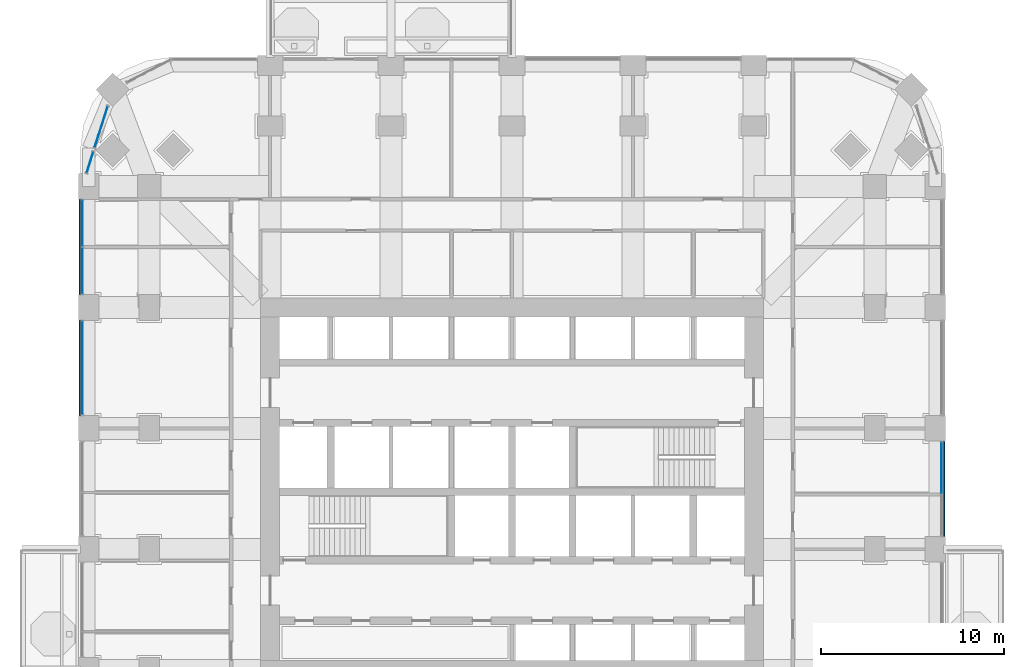
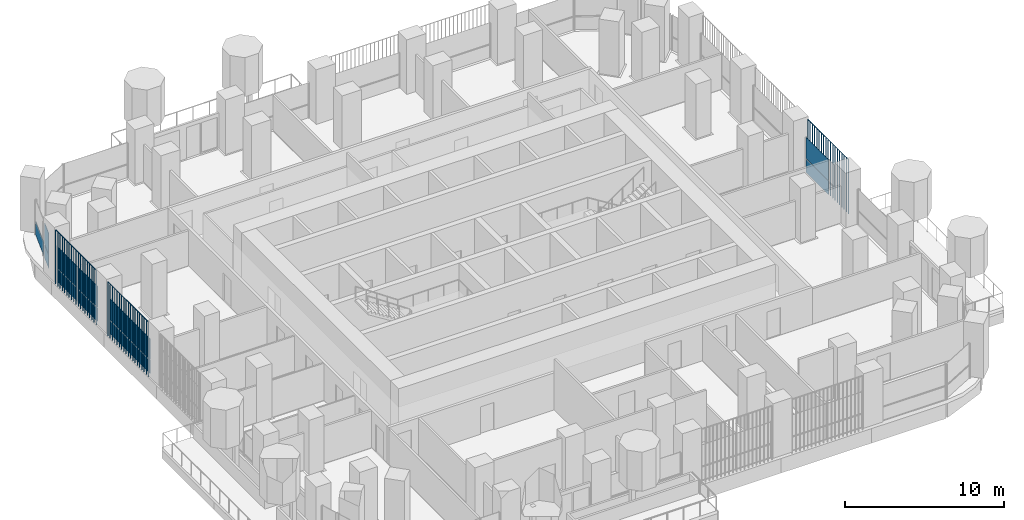
# One storey, part 10 of 21: 14 plates, 5 elements without a shape of their own.
"""IFC4 building model written with IfcOpenShell, lengths in metres."""

from ifc_helpers import new_model, si_unit, direction, frame, origin, origin_2d, place, context, subcontext, project, spatial, polyline, rectangle, outline, extrude, material, layer, layer_set, type_object, element, aggregate, save


model = new_model("IFC4")

# Units and contexts
model_context = context("Model", 3, precision=1e-05, world=origin(), true_north=direction((0.0, 1.0)))
body_context = subcontext(model_context, "Body", "Model", "MODEL_VIEW")
ifc_project = project(units=[si_unit("LENGTHUNIT", "METRE"), si_unit("AREAUNIT", "SQUARE_METRE"), si_unit("VOLUMEUNIT", "CUBIC_METRE"), si_unit("PLANEANGLEUNIT", "RADIAN"), si_unit("MASSUNIT", "GRAM", prefix="KILO")], contexts=[model_context])

# Site, building, storey
site_placement = place(None, origin())
site = spatial("IfcSite", under=ifc_project, at=site_placement, CompositionType="ELEMENT")
building_placement = place(site_placement, origin())
building = spatial("IfcBuilding", under=site, at=building_placement, Name="Cobogo Forest Laboratory Tower", CompositionType="ELEMENT")
storey_placement = place(building_placement, frame((0.0, 0.0, 115.800048828125)))
storey = spatial("IfcBuildingStorey", under=building, at=storey_placement, Name="L26", CompositionType="ELEMENT", Elevation=115.800048828125)

# Curtain wall, plates
ifc_material_1 = material(Name="Aluminium curtain wall", Category="aluminium")
curtain_wall_type = type_object("IfcCurtainWallType", Name="CW-1 unitised curtain wall, clear glazing, laboratory floors zones A and B", PredefinedType="USERDEFINED", material=ifc_material_1)
curtain_wall_1_placement = place(storey_placement, origin())
curtain_wall_1 = element("IfcCurtainWall", 1, at=curtain_wall_1_placement, inside=storey, type_object=curtain_wall_type, Name="Curtain wall 12 L26", ObjectType="UNITISED CURTAIN WALL", PredefinedType="USERDEFINED")
ifc_material_2 = material(Name="Clear insulated glass", Category="glass")
ifc_layer = layer(ifc_material_2, 0.028076171875)
ifc_layer_set = layer_set([ifc_layer], Name="GP-1 clear insulated glass unit 28")
plate_type_1 = type_object("IfcPlateType", Name="GP-1 clear insulated glass unit 28", PredefinedType="CURTAIN_PANEL", material=ifc_layer_set)
plate_1_placement = place(storey_placement, frame((49.85009765625, 24.235107421875, 0.0), z_axis=(0.0, 0.0, 1.0), x_axis=(0.0, 1.0, 0.0)))
plate_1 = element("IfcPlate", 2, at=plate_1_placement, type_object=plate_type_1, Name="CW-1 panel 2.1", PredefinedType="CURTAIN_PANEL", context=body_context, shape_type="SweptSolid", body=[
    extrude(rectangle(XDim=2.81005859375, YDim=0.028076171875, at=origin_2d()), origin(), (0.0, 0.0, 1.0), 1.02001953125),
])
plate_2_placement = place(storey_placement, frame((49.85009765625, 24.235107421875, 1.079833984375), z_axis=(0.0, 0.0, 1.0), x_axis=(0.0, 1.0, 0.0)))
plate_2 = element("IfcPlate", 3, at=plate_2_placement, type_object=plate_type_1, Name="CW-1 panel 2.2", PredefinedType="CURTAIN_PANEL", context=body_context, shape_type="SweptSolid", body=[
    extrude(rectangle(XDim=2.81005859375, YDim=0.028076171875, at=origin_2d()), origin(), (0.0, 0.0, 1.0), 1.6201171875),
])
aggregate(curtain_wall_1, [plate_1, plate_2])

# Curtain wall, plate
curtain_wall_2_placement = place(storey_placement, origin())
curtain_wall_2 = element("IfcCurtainWall", 4, at=curtain_wall_2_placement, inside=storey, type_object=curtain_wall_type, Name="Curtain wall 25 L26", ObjectType="UNITISED CURTAIN WALL", PredefinedType="USERDEFINED")
plate_3_placement = place(storey_placement, frame((3.978759765625, 42.857421875, 0.0), z_axis=(0.0, 0.0, 1.0), x_axis=(-0.301135291996, -0.953581425949, 0.0)))
plate_3 = element("IfcPlate", 5, at=plate_3_placement, type_object=plate_type_1, Name="CW-1 panel 1.1", PredefinedType="CURTAIN_PANEL", context=body_context, shape_type="SweptSolid", body=[
    extrude(rectangle(XDim=2.3681640625, YDim=0.028076171875, at=origin_2d()), origin(), (0.0, 0.0, 1.0), 1.02001953125),
])
aggregate(curtain_wall_2, [plate_3])

# Curtain wall, plates
curtain_wall_3_placement = place(storey_placement, origin())
curtain_wall_3 = element("IfcCurtainWall", 6, at=curtain_wall_3_placement, inside=storey, type_object=curtain_wall_type, Name="Curtain wall 26 L26", ObjectType="UNITISED CURTAIN WALL", PredefinedType="USERDEFINED")
plate_4_placement = place(storey_placement, frame((3.3662109375, 40.917724609375, 0.0), z_axis=(0.0, 0.0, 1.0), x_axis=(-0.301135356805, -0.953581405483, 0.0)))
plate_4 = element("IfcPlate", 7, at=plate_4_placement, type_object=plate_type_1, Name="CW-1 panel 1.1", PredefinedType="CURTAIN_PANEL", context=body_context, shape_type="SweptSolid", body=[
    extrude(rectangle(XDim=1.17578125, YDim=0.028076171875, at=origin_2d()), origin(), (0.0, 0.0, 1.0), 1.02001953125),
])
plate_5_placement = place(storey_placement, frame((3.3662109375, 40.917724609375, 1.079833984375), z_axis=(0.0, 0.0, 1.0), x_axis=(-0.301135356805, -0.953581405483, 0.0)))
plate_5 = element("IfcPlate", 8, at=plate_5_placement, type_object=plate_type_1, Name="CW-1 panel 1.2", PredefinedType="CURTAIN_PANEL", context=body_context, shape_type="SweptSolid", body=[
    extrude(rectangle(XDim=1.17578125, YDim=0.028076171875, at=origin_2d()), origin(), (0.0, 0.0, 1.0), 1.6201171875),
])
aggregate(curtain_wall_3, [plate_4, plate_5])

curtain_wall_4_placement = place(storey_placement, origin())
curtain_wall_4 = element("IfcCurtainWall", 9, at=curtain_wall_4_placement, inside=storey, type_object=curtain_wall_type, Name="Curtain wall 27 L26", ObjectType="UNITISED CURTAIN WALL", PredefinedType="USERDEFINED")
plate_6_placement = place(storey_placement, frame((2.949951171875, 37.5849609375, 0.0), z_axis=(0.0, 0.0, 1.0), x_axis=(0.0, -1.0, 0.0)))
plate_6 = element("IfcPlate", 10, at=plate_6_placement, type_object=plate_type_1, Name="CW-1 panel 1.1", PredefinedType="CURTAIN_PANEL", context=body_context, shape_type="SweptSolid", body=[
    extrude(rectangle(XDim=2.510009765625, YDim=0.028076171875, at=origin_2d()), origin(), (0.0, 0.0, 1.0), 1.02001953125),
])
plate_7_placement = place(storey_placement, frame((2.949951171875, 37.5849609375, 1.079833984375), z_axis=(0.0, 0.0, 1.0), x_axis=(0.0, -1.0, 0.0)))
plate_7 = element("IfcPlate", 11, at=plate_7_placement, type_object=plate_type_1, Name="CW-1 panel 1.2", PredefinedType="CURTAIN_PANEL", context=body_context, shape_type="SweptSolid", body=[
    extrude(rectangle(XDim=2.510009765625, YDim=0.028076171875, at=origin_2d()), origin(), (0.0, 0.0, 1.0), 1.6201171875),
])
plate_8_placement = place(storey_placement, frame((2.949951171875, 35.014892578125, 0.0), z_axis=(0.0, 0.0, 1.0), x_axis=(0.0, -1.0, 0.0)))
plate_8 = element("IfcPlate", 12, at=plate_8_placement, type_object=plate_type_1, Name="CW-1 panel 2.1", PredefinedType="CURTAIN_PANEL", context=body_context, shape_type="SweptSolid", body=[
    extrude(rectangle(XDim=2.510009765625, YDim=0.028076171875, at=origin_2d()), origin(), (0.0, 0.0, 1.0), 1.02001953125),
])
plate_9_placement = place(storey_placement, frame((2.949951171875, 35.014892578125, 1.079833984375), z_axis=(0.0, 0.0, 1.0), x_axis=(0.0, -1.0, 0.0)))
plate_9 = element("IfcPlate", 13, at=plate_9_placement, type_object=plate_type_1, Name="CW-1 panel 2.2", PredefinedType="CURTAIN_PANEL", context=body_context, shape_type="SweptSolid", body=[
    extrude(rectangle(XDim=2.510009765625, YDim=0.028076171875, at=origin_2d()), origin(), (0.0, 0.0, 1.0), 1.6201171875),
])
aggregate(curtain_wall_4, [plate_6, plate_7, plate_8, plate_9])

curtain_wall_5_placement = place(storey_placement, origin())
curtain_wall_5 = element("IfcCurtainWall", 14, at=curtain_wall_5_placement, inside=storey, type_object=curtain_wall_type, Name="Curtain wall 28 L26", ObjectType="UNITISED CURTAIN WALL", PredefinedType="USERDEFINED")
plate_10_placement = place(storey_placement, frame((2.949951171875, 29.699951171875, 0.0), z_axis=(0.0, 0.0, 1.0), x_axis=(0.0, -1.0, 0.0)))
plate_10 = element("IfcPlate", 15, at=plate_10_placement, type_object=plate_type_1, Name="CW-1 panel 1.1", PredefinedType="CURTAIN_PANEL", context=body_context, shape_type="SweptSolid", body=[
    extrude(rectangle(XDim=5.080078125, YDim=0.028076171875, at=origin_2d()), origin(), (0.0, 0.0, 1.0), 1.02001953125),
])
plate_11_placement = place(storey_placement, frame((2.949951171875, 29.699951171875, 1.079833984375), z_axis=(0.0, 0.0, 1.0), x_axis=(0.0, -1.0, 0.0)))
plate_11 = element("IfcPlate", 16, at=plate_11_placement, type_object=plate_type_1, Name="CW-1 panel 1.2", PredefinedType="CURTAIN_PANEL", context=body_context, shape_type="SweptSolid", body=[
    extrude(rectangle(XDim=5.080078125, YDim=0.028076171875, at=origin_2d()), origin(), (0.0, 0.0, 1.0), 1.6201171875),
])
aggregate(curtain_wall_5, [plate_10, plate_11])

# Plates
ifc_material_3 = material(Name="Terracotta", Category="masonry")
plate_type_2 = type_object("IfcPlateType", Name="TB1 terracotta baguette screen", PredefinedType="USERDEFINED", material=ifc_material_3)
plate_12_placement = place(storey_placement, frame((49.977783203125, 20.53125, -0.150146484375)))
element("IfcPlate", 17, at=plate_12_placement, inside=storey, type_object=plate_type_2, Name="Baguette screen E3 L26", ObjectType="BAGUETTE SCREEN", PredefinedType="USERDEFINED", context=body_context, shape_type="SweptSolid", body=[
    extrude(outline(polyline([(0.02880859375, 0.011962890625), (0.011962890625, 0.02880859375), (-0.011962890625, 0.02880859375), (-0.02880859375, 0.011962890625), (-0.02880859375, -0.011962890625), (-0.011962890625, -0.02880859375), (0.011962890625, -0.02880859375), (0.02880859375, -0.011962890625), (0.02880859375, 0.011962890625)])), frame((0.0, 0.0, 4.168701171875), z_axis=(0.0, 1.0, 0.0), x_axis=(-1.0, 0.0, 0.0)), (0.0, 0.0, 1.0), 5.137451171875),
    extrude(outline(polyline([(0.02880859375, 0.011962890625), (0.011962890625, 0.02880859375), (-0.011962890625, 0.02880859375), (-0.02880859375, 0.011962890625), (-0.02880859375, -0.011962890625), (-0.011962890625, -0.02880859375), (0.011962890625, -0.02880859375), (0.02880859375, -0.011962890625), (0.02880859375, 0.011962890625)])), origin(), (0.0, 0.0, 1.0), 4.137451171875),
    extrude(outline(polyline([(0.02880859375, 0.011962890625), (0.011962890625, 0.02880859375), (-0.011962890625, 0.02880859375), (-0.02880859375, 0.011962890625), (-0.02880859375, -0.011962890625), (-0.011962890625, -0.02880859375), (0.011962890625, -0.02880859375), (0.02880859375, -0.011962890625), (0.02880859375, 0.011962890625)])), frame((0.0, 0.285400390625, 0.0)), (0.0, 0.0, 1.0), 4.137451171875),
    extrude(outline(polyline([(0.02880859375, 0.011962890625), (0.011962890625, 0.02880859375), (-0.011962890625, 0.02880859375), (-0.02880859375, 0.011962890625), (-0.02880859375, -0.011962890625), (-0.011962890625, -0.02880859375), (0.011962890625, -0.02880859375), (0.02880859375, -0.011962890625), (0.02880859375, 0.011962890625)])), frame((0.0, 0.57080078125, 0.0)), (0.0, 0.0, 1.0), 4.137451171875),
    extrude(outline(polyline([(0.02880859375, 0.011962890625), (0.011962890625, 0.02880859375), (-0.011962890625, 0.02880859375), (-0.02880859375, 0.011962890625), (-0.02880859375, -0.011962890625), (-0.011962890625, -0.02880859375), (0.011962890625, -0.02880859375), (0.02880859375, -0.011962890625), (0.02880859375, 0.011962890625)])), frame((0.0, 0.856201171875, 0.0)), (0.0, 0.0, 1.0), 4.137451171875),
    extrude(outline(polyline([(0.02880859375, 0.011962890625), (0.011962890625, 0.02880859375), (-0.011962890625, 0.02880859375), (-0.02880859375, 0.011962890625), (-0.02880859375, -0.011962890625), (-0.011962890625, -0.02880859375), (0.011962890625, -0.02880859375), (0.02880859375, -0.011962890625), (0.02880859375, 0.011962890625)])), frame((0.0, 1.1416015625, 0.0)), (0.0, 0.0, 1.0), 4.137451171875),
    extrude(outline(polyline([(0.02880859375, 0.011962890625), (0.011962890625, 0.02880859375), (-0.011962890625, 0.02880859375), (-0.02880859375, 0.011962890625), (-0.02880859375, -0.011962890625), (-0.011962890625, -0.02880859375), (0.011962890625, -0.02880859375), (0.02880859375, -0.011962890625), (0.02880859375, 0.011962890625)])), frame((0.0, 1.427001953125, 0.0)), (0.0, 0.0, 1.0), 4.137451171875),
    extrude(outline(polyline([(0.02880859375, 0.011962890625), (0.011962890625, 0.02880859375), (-0.011962890625, 0.02880859375), (-0.02880859375, 0.011962890625), (-0.02880859375, -0.011962890625), (-0.011962890625, -0.02880859375), (0.011962890625, -0.02880859375), (0.02880859375, -0.011962890625), (0.02880859375, 0.011962890625)])), frame((0.0, 1.71240234375, 0.0)), (0.0, 0.0, 1.0), 4.137451171875),
    extrude(outline(polyline([(0.02880859375, 0.011962890625), (0.011962890625, 0.02880859375), (-0.011962890625, 0.02880859375), (-0.02880859375, 0.011962890625), (-0.02880859375, -0.011962890625), (-0.011962890625, -0.02880859375), (0.011962890625, -0.02880859375), (0.02880859375, -0.011962890625), (0.02880859375, 0.011962890625)])), frame((0.0, 1.997802734375, 0.0)), (0.0, 0.0, 1.0), 4.137451171875),
    extrude(outline(polyline([(0.02880859375, 0.011962890625), (0.011962890625, 0.02880859375), (-0.011962890625, 0.02880859375), (-0.02880859375, 0.011962890625), (-0.02880859375, -0.011962890625), (-0.011962890625, -0.02880859375), (0.011962890625, -0.02880859375), (0.02880859375, -0.011962890625), (0.02880859375, 0.011962890625)])), frame((0.0, 2.283203125, 0.0)), (0.0, 0.0, 1.0), 4.137451171875),
    extrude(outline(polyline([(0.02880859375, 0.011962890625), (0.011962890625, 0.02880859375), (-0.011962890625, 0.02880859375), (-0.02880859375, 0.011962890625), (-0.02880859375, -0.011962890625), (-0.011962890625, -0.02880859375), (0.011962890625, -0.02880859375), (0.02880859375, -0.011962890625), (0.02880859375, 0.011962890625)])), frame((0.0, 2.56884765625, 0.0)), (0.0, 0.0, 1.0), 4.137451171875),
    extrude(outline(polyline([(0.02880859375, 0.011962890625), (0.011962890625, 0.02880859375), (-0.011962890625, 0.02880859375), (-0.02880859375, 0.011962890625), (-0.02880859375, -0.011962890625), (-0.011962890625, -0.02880859375), (0.011962890625, -0.02880859375), (0.02880859375, -0.011962890625), (0.02880859375, 0.011962890625)])), frame((0.0, 2.854248046875, 0.0)), (0.0, 0.0, 1.0), 4.137451171875),
    extrude(outline(polyline([(0.02880859375, 0.011962890625), (0.011962890625, 0.02880859375), (-0.011962890625, 0.02880859375), (-0.02880859375, 0.011962890625), (-0.02880859375, -0.011962890625), (-0.011962890625, -0.02880859375), (0.011962890625, -0.02880859375), (0.02880859375, -0.011962890625), (0.02880859375, 0.011962890625)])), frame((0.0, 3.1396484375, 0.0)), (0.0, 0.0, 1.0), 4.137451171875),
    extrude(outline(polyline([(0.02880859375, 0.011962890625), (0.011962890625, 0.02880859375), (-0.011962890625, 0.02880859375), (-0.02880859375, 0.011962890625), (-0.02880859375, -0.011962890625), (-0.011962890625, -0.02880859375), (0.011962890625, -0.02880859375), (0.02880859375, -0.011962890625), (0.02880859375, 0.011962890625)])), frame((0.0, 3.425048828125, 0.0)), (0.0, 0.0, 1.0), 4.137451171875),
    extrude(outline(polyline([(0.02880859375, 0.011962890625), (0.011962890625, 0.02880859375), (-0.011962890625, 0.02880859375), (-0.02880859375, 0.011962890625), (-0.02880859375, -0.011962890625), (-0.011962890625, -0.02880859375), (0.011962890625, -0.02880859375), (0.02880859375, -0.011962890625), (0.02880859375, 0.011962890625)])), frame((0.0, 3.71044921875, 0.0)), (0.0, 0.0, 1.0), 4.137451171875),
    extrude(outline(polyline([(0.02880859375, 0.011962890625), (0.011962890625, 0.02880859375), (-0.011962890625, 0.02880859375), (-0.02880859375, 0.011962890625), (-0.02880859375, -0.011962890625), (-0.011962890625, -0.02880859375), (0.011962890625, -0.02880859375), (0.02880859375, -0.011962890625), (0.02880859375, 0.011962890625)])), frame((0.0, 3.995849609375, 0.0)), (0.0, 0.0, 1.0), 4.137451171875),
    extrude(outline(polyline([(0.02880859375, 0.011962890625), (0.011962890625, 0.02880859375), (-0.011962890625, 0.02880859375), (-0.02880859375, 0.011962890625), (-0.02880859375, -0.011962890625), (-0.011962890625, -0.02880859375), (0.011962890625, -0.02880859375), (0.02880859375, -0.011962890625), (0.02880859375, 0.011962890625)])), frame((0.0, 4.28125, 0.0)), (0.0, 0.0, 1.0), 4.137451171875),
    extrude(outline(polyline([(0.02880859375, 0.011962890625), (0.011962890625, 0.02880859375), (-0.011962890625, 0.02880859375), (-0.02880859375, 0.011962890625), (-0.02880859375, -0.011962890625), (-0.011962890625, -0.02880859375), (0.011962890625, -0.02880859375), (0.02880859375, -0.011962890625), (0.02880859375, 0.011962890625)])), frame((0.0, 4.566650390625, 0.0)), (0.0, 0.0, 1.0), 4.137451171875),
    extrude(outline(polyline([(0.02880859375, 0.011962890625), (0.011962890625, 0.02880859375), (-0.011962890625, 0.02880859375), (-0.02880859375, 0.011962890625), (-0.02880859375, -0.011962890625), (-0.011962890625, -0.02880859375), (0.011962890625, -0.02880859375), (0.02880859375, -0.011962890625), (0.02880859375, 0.011962890625)])), frame((0.0, 4.85205078125, 0.0)), (0.0, 0.0, 1.0), 4.137451171875),
    extrude(outline(polyline([(0.02880859375, 0.011962890625), (0.011962890625, 0.02880859375), (-0.011962890625, 0.02880859375), (-0.02880859375, 0.011962890625), (-0.02880859375, -0.011962890625), (-0.011962890625, -0.02880859375), (0.011962890625, -0.02880859375), (0.02880859375, -0.011962890625), (0.02880859375, 0.011962890625)])), frame((0.0, 5.137451171875, 0.0)), (0.0, 0.0, 1.0), 4.137451171875),
])
plate_13_placement = place(storey_placement, frame((2.822021484375, 27.13134765625, -0.150146484375)))
element("IfcPlate", 18, at=plate_13_placement, inside=storey, type_object=plate_type_2, Name="Baguette screen W4 L26", ObjectType="BAGUETTE SCREEN", PredefinedType="USERDEFINED", context=body_context, shape_type="SweptSolid", body=[
    extrude(outline(polyline([(0.02880859375, 0.011962890625), (0.011962890625, 0.02880859375), (-0.011962890625, 0.02880859375), (-0.02880859375, 0.011962890625), (-0.02880859375, -0.011962890625), (-0.011962890625, -0.02880859375), (0.011962890625, -0.02880859375), (0.02880859375, -0.011962890625), (0.02880859375, 0.011962890625)])), frame((0.0, 0.0, 4.168701171875), z_axis=(0.0, 1.0, 0.0), x_axis=(-1.0, 0.0, 0.0)), (0.0, 0.0, 1.0), 5.137451171875),
    extrude(outline(polyline([(0.02880859375, 0.011962890625), (0.011962890625, 0.02880859375), (-0.011962890625, 0.02880859375), (-0.02880859375, 0.011962890625), (-0.02880859375, -0.011962890625), (-0.011962890625, -0.02880859375), (0.011962890625, -0.02880859375), (0.02880859375, -0.011962890625), (0.02880859375, 0.011962890625)])), origin(), (0.0, 0.0, 1.0), 4.137451171875),
    extrude(outline(polyline([(0.02880859375, 0.011962890625), (0.011962890625, 0.02880859375), (-0.011962890625, 0.02880859375), (-0.02880859375, 0.011962890625), (-0.02880859375, -0.011962890625), (-0.011962890625, -0.02880859375), (0.011962890625, -0.02880859375), (0.02880859375, -0.011962890625), (0.02880859375, 0.011962890625)])), frame((0.0, 0.285400390625, 0.0)), (0.0, 0.0, 1.0), 4.137451171875),
    extrude(outline(polyline([(0.02880859375, 0.011962890625), (0.011962890625, 0.02880859375), (-0.011962890625, 0.02880859375), (-0.02880859375, 0.011962890625), (-0.02880859375, -0.011962890625), (-0.011962890625, -0.02880859375), (0.011962890625, -0.02880859375), (0.02880859375, -0.011962890625), (0.02880859375, 0.011962890625)])), frame((0.0, 0.57080078125, 0.0)), (0.0, 0.0, 1.0), 4.137451171875),
    extrude(outline(polyline([(0.02880859375, 0.011962890625), (0.011962890625, 0.02880859375), (-0.011962890625, 0.02880859375), (-0.02880859375, 0.011962890625), (-0.02880859375, -0.011962890625), (-0.011962890625, -0.02880859375), (0.011962890625, -0.02880859375), (0.02880859375, -0.011962890625), (0.02880859375, 0.011962890625)])), frame((0.0, 0.856201171875, 0.0)), (0.0, 0.0, 1.0), 4.137451171875),
    extrude(outline(polyline([(0.02880859375, 0.011962890625), (0.011962890625, 0.02880859375), (-0.011962890625, 0.02880859375), (-0.02880859375, 0.011962890625), (-0.02880859375, -0.011962890625), (-0.011962890625, -0.02880859375), (0.011962890625, -0.02880859375), (0.02880859375, -0.011962890625), (0.02880859375, 0.011962890625)])), frame((0.0, 1.1416015625, 0.0)), (0.0, 0.0, 1.0), 4.137451171875),
    extrude(outline(polyline([(0.02880859375, 0.011962890625), (0.011962890625, 0.02880859375), (-0.011962890625, 0.02880859375), (-0.02880859375, 0.011962890625), (-0.02880859375, -0.011962890625), (-0.011962890625, -0.02880859375), (0.011962890625, -0.02880859375), (0.02880859375, -0.011962890625), (0.02880859375, 0.011962890625)])), frame((0.0, 1.427001953125, 0.0)), (0.0, 0.0, 1.0), 4.137451171875),
    extrude(outline(polyline([(0.02880859375, 0.011962890625), (0.011962890625, 0.02880859375), (-0.011962890625, 0.02880859375), (-0.02880859375, 0.011962890625), (-0.02880859375, -0.011962890625), (-0.011962890625, -0.02880859375), (0.011962890625, -0.02880859375), (0.02880859375, -0.011962890625), (0.02880859375, 0.011962890625)])), frame((0.0, 1.71240234375, 0.0)), (0.0, 0.0, 1.0), 4.137451171875),
    extrude(outline(polyline([(0.02880859375, 0.011962890625), (0.011962890625, 0.02880859375), (-0.011962890625, 0.02880859375), (-0.02880859375, 0.011962890625), (-0.02880859375, -0.011962890625), (-0.011962890625, -0.02880859375), (0.011962890625, -0.02880859375), (0.02880859375, -0.011962890625), (0.02880859375, 0.011962890625)])), frame((0.0, 1.997802734375, 0.0)), (0.0, 0.0, 1.0), 4.137451171875),
    extrude(outline(polyline([(0.02880859375, 0.011962890625), (0.011962890625, 0.02880859375), (-0.011962890625, 0.02880859375), (-0.02880859375, 0.011962890625), (-0.02880859375, -0.011962890625), (-0.011962890625, -0.02880859375), (0.011962890625, -0.02880859375), (0.02880859375, -0.011962890625), (0.02880859375, 0.011962890625)])), frame((0.0, 2.283203125, 0.0)), (0.0, 0.0, 1.0), 4.137451171875),
    extrude(outline(polyline([(0.02880859375, 0.011962890625), (0.011962890625, 0.02880859375), (-0.011962890625, 0.02880859375), (-0.02880859375, 0.011962890625), (-0.02880859375, -0.011962890625), (-0.011962890625, -0.02880859375), (0.011962890625, -0.02880859375), (0.02880859375, -0.011962890625), (0.02880859375, 0.011962890625)])), frame((0.0, 2.56884765625, 0.0)), (0.0, 0.0, 1.0), 4.137451171875),
    extrude(outline(polyline([(0.02880859375, 0.011962890625), (0.011962890625, 0.02880859375), (-0.011962890625, 0.02880859375), (-0.02880859375, 0.011962890625), (-0.02880859375, -0.011962890625), (-0.011962890625, -0.02880859375), (0.011962890625, -0.02880859375), (0.02880859375, -0.011962890625), (0.02880859375, 0.011962890625)])), frame((0.0, 2.854248046875, 0.0)), (0.0, 0.0, 1.0), 4.137451171875),
    extrude(outline(polyline([(0.02880859375, 0.011962890625), (0.011962890625, 0.02880859375), (-0.011962890625, 0.02880859375), (-0.02880859375, 0.011962890625), (-0.02880859375, -0.011962890625), (-0.011962890625, -0.02880859375), (0.011962890625, -0.02880859375), (0.02880859375, -0.011962890625), (0.02880859375, 0.011962890625)])), frame((0.0, 3.1396484375, 0.0)), (0.0, 0.0, 1.0), 4.137451171875),
    extrude(outline(polyline([(0.02880859375, 0.011962890625), (0.011962890625, 0.02880859375), (-0.011962890625, 0.02880859375), (-0.02880859375, 0.011962890625), (-0.02880859375, -0.011962890625), (-0.011962890625, -0.02880859375), (0.011962890625, -0.02880859375), (0.02880859375, -0.011962890625), (0.02880859375, 0.011962890625)])), frame((0.0, 3.425048828125, 0.0)), (0.0, 0.0, 1.0), 4.137451171875),
    extrude(outline(polyline([(0.02880859375, 0.011962890625), (0.011962890625, 0.02880859375), (-0.011962890625, 0.02880859375), (-0.02880859375, 0.011962890625), (-0.02880859375, -0.011962890625), (-0.011962890625, -0.02880859375), (0.011962890625, -0.02880859375), (0.02880859375, -0.011962890625), (0.02880859375, 0.011962890625)])), frame((0.0, 3.71044921875, 0.0)), (0.0, 0.0, 1.0), 4.137451171875),
    extrude(outline(polyline([(0.02880859375, 0.011962890625), (0.011962890625, 0.02880859375), (-0.011962890625, 0.02880859375), (-0.02880859375, 0.011962890625), (-0.02880859375, -0.011962890625), (-0.011962890625, -0.02880859375), (0.011962890625, -0.02880859375), (0.02880859375, -0.011962890625), (0.02880859375, 0.011962890625)])), frame((0.0, 3.995849609375, 0.0)), (0.0, 0.0, 1.0), 4.137451171875),
    extrude(outline(polyline([(0.02880859375, 0.011962890625), (0.011962890625, 0.02880859375), (-0.011962890625, 0.02880859375), (-0.02880859375, 0.011962890625), (-0.02880859375, -0.011962890625), (-0.011962890625, -0.02880859375), (0.011962890625, -0.02880859375), (0.02880859375, -0.011962890625), (0.02880859375, 0.011962890625)])), frame((0.0, 4.28125, 0.0)), (0.0, 0.0, 1.0), 4.137451171875),
    extrude(outline(polyline([(0.02880859375, 0.011962890625), (0.011962890625, 0.02880859375), (-0.011962890625, 0.02880859375), (-0.02880859375, 0.011962890625), (-0.02880859375, -0.011962890625), (-0.011962890625, -0.02880859375), (0.011962890625, -0.02880859375), (0.02880859375, -0.011962890625), (0.02880859375, 0.011962890625)])), frame((0.0, 4.566650390625, 0.0)), (0.0, 0.0, 1.0), 4.137451171875),
    extrude(outline(polyline([(0.02880859375, 0.011962890625), (0.011962890625, 0.02880859375), (-0.011962890625, 0.02880859375), (-0.02880859375, 0.011962890625), (-0.02880859375, -0.011962890625), (-0.011962890625, -0.02880859375), (0.011962890625, -0.02880859375), (0.02880859375, -0.011962890625), (0.02880859375, 0.011962890625)])), frame((0.0, 4.85205078125, 0.0)), (0.0, 0.0, 1.0), 4.137451171875),
    extrude(outline(polyline([(0.02880859375, 0.011962890625), (0.011962890625, 0.02880859375), (-0.011962890625, 0.02880859375), (-0.02880859375, 0.011962890625), (-0.02880859375, -0.011962890625), (-0.011962890625, -0.02880859375), (0.011962890625, -0.02880859375), (0.02880859375, -0.011962890625), (0.02880859375, 0.011962890625)])), frame((0.0, 5.137451171875, 0.0)), (0.0, 0.0, 1.0), 4.137451171875),
])
plate_14_placement = place(storey_placement, frame((2.822021484375, 33.731201171875, -0.150146484375)))
element("IfcPlate", 19, at=plate_14_placement, inside=storey, type_object=plate_type_2, Name="Baguette screen W5 L26", ObjectType="BAGUETTE SCREEN", PredefinedType="USERDEFINED", context=body_context, shape_type="SweptSolid", body=[
    extrude(outline(polyline([(0.02880859375, 0.011962890625), (0.011962890625, 0.02880859375), (-0.011962890625, 0.02880859375), (-0.02880859375, 0.011962890625), (-0.02880859375, -0.011962890625), (-0.011962890625, -0.02880859375), (0.011962890625, -0.02880859375), (0.02880859375, -0.011962890625), (0.02880859375, 0.011962890625)])), frame((0.0, 0.0, 4.168701171875), z_axis=(0.0, 1.0, 0.0), x_axis=(-1.0, 0.0, 0.0)), (0.0, 0.0, 1.0), 5.137451171875),
    extrude(outline(polyline([(0.02880859375, 0.011962890625), (0.011962890625, 0.02880859375), (-0.011962890625, 0.02880859375), (-0.02880859375, 0.011962890625), (-0.02880859375, -0.011962890625), (-0.011962890625, -0.02880859375), (0.011962890625, -0.02880859375), (0.02880859375, -0.011962890625), (0.02880859375, 0.011962890625)])), origin(), (0.0, 0.0, 1.0), 4.137451171875),
    extrude(outline(polyline([(0.02880859375, 0.011962890625), (0.011962890625, 0.02880859375), (-0.011962890625, 0.02880859375), (-0.02880859375, 0.011962890625), (-0.02880859375, -0.011962890625), (-0.011962890625, -0.02880859375), (0.011962890625, -0.02880859375), (0.02880859375, -0.011962890625), (0.02880859375, 0.011962890625)])), frame((0.0, 0.285400390625, 0.0)), (0.0, 0.0, 1.0), 4.137451171875),
    extrude(outline(polyline([(0.02880859375, 0.011962890625), (0.011962890625, 0.02880859375), (-0.011962890625, 0.02880859375), (-0.02880859375, 0.011962890625), (-0.02880859375, -0.011962890625), (-0.011962890625, -0.02880859375), (0.011962890625, -0.02880859375), (0.02880859375, -0.011962890625), (0.02880859375, 0.011962890625)])), frame((0.0, 0.57080078125, 0.0)), (0.0, 0.0, 1.0), 4.137451171875),
    extrude(outline(polyline([(0.02880859375, 0.011962890625), (0.011962890625, 0.02880859375), (-0.011962890625, 0.02880859375), (-0.02880859375, 0.011962890625), (-0.02880859375, -0.011962890625), (-0.011962890625, -0.02880859375), (0.011962890625, -0.02880859375), (0.02880859375, -0.011962890625), (0.02880859375, 0.011962890625)])), frame((0.0, 0.856201171875, 0.0)), (0.0, 0.0, 1.0), 4.137451171875),
    extrude(outline(polyline([(0.02880859375, 0.011962890625), (0.011962890625, 0.02880859375), (-0.011962890625, 0.02880859375), (-0.02880859375, 0.011962890625), (-0.02880859375, -0.011962890625), (-0.011962890625, -0.02880859375), (0.011962890625, -0.02880859375), (0.02880859375, -0.011962890625), (0.02880859375, 0.011962890625)])), frame((0.0, 1.1416015625, 0.0)), (0.0, 0.0, 1.0), 4.137451171875),
    extrude(outline(polyline([(0.02880859375, 0.011962890625), (0.011962890625, 0.02880859375), (-0.011962890625, 0.02880859375), (-0.02880859375, 0.011962890625), (-0.02880859375, -0.011962890625), (-0.011962890625, -0.02880859375), (0.011962890625, -0.02880859375), (0.02880859375, -0.011962890625), (0.02880859375, 0.011962890625)])), frame((0.0, 1.427001953125, 0.0)), (0.0, 0.0, 1.0), 4.137451171875),
    extrude(outline(polyline([(0.02880859375, 0.011962890625), (0.011962890625, 0.02880859375), (-0.011962890625, 0.02880859375), (-0.02880859375, 0.011962890625), (-0.02880859375, -0.011962890625), (-0.011962890625, -0.02880859375), (0.011962890625, -0.02880859375), (0.02880859375, -0.011962890625), (0.02880859375, 0.011962890625)])), frame((0.0, 1.71240234375, 0.0)), (0.0, 0.0, 1.0), 4.137451171875),
    extrude(outline(polyline([(0.02880859375, 0.011962890625), (0.011962890625, 0.02880859375), (-0.011962890625, 0.02880859375), (-0.02880859375, 0.011962890625), (-0.02880859375, -0.011962890625), (-0.011962890625, -0.02880859375), (0.011962890625, -0.02880859375), (0.02880859375, -0.011962890625), (0.02880859375, 0.011962890625)])), frame((0.0, 1.997802734375, 0.0)), (0.0, 0.0, 1.0), 4.137451171875),
    extrude(outline(polyline([(0.02880859375, 0.011962890625), (0.011962890625, 0.02880859375), (-0.011962890625, 0.02880859375), (-0.02880859375, 0.011962890625), (-0.02880859375, -0.011962890625), (-0.011962890625, -0.02880859375), (0.011962890625, -0.02880859375), (0.02880859375, -0.011962890625), (0.02880859375, 0.011962890625)])), frame((0.0, 2.283203125, 0.0)), (0.0, 0.0, 1.0), 4.137451171875),
    extrude(outline(polyline([(0.02880859375, 0.011962890625), (0.011962890625, 0.02880859375), (-0.011962890625, 0.02880859375), (-0.02880859375, 0.011962890625), (-0.02880859375, -0.011962890625), (-0.011962890625, -0.02880859375), (0.011962890625, -0.02880859375), (0.02880859375, -0.011962890625), (0.02880859375, 0.011962890625)])), frame((0.0, 2.56884765625, 0.0)), (0.0, 0.0, 1.0), 4.137451171875),
    extrude(outline(polyline([(0.02880859375, 0.011962890625), (0.011962890625, 0.02880859375), (-0.011962890625, 0.02880859375), (-0.02880859375, 0.011962890625), (-0.02880859375, -0.011962890625), (-0.011962890625, -0.02880859375), (0.011962890625, -0.02880859375), (0.02880859375, -0.011962890625), (0.02880859375, 0.011962890625)])), frame((0.0, 2.854248046875, 0.0)), (0.0, 0.0, 1.0), 4.137451171875),
    extrude(outline(polyline([(0.02880859375, 0.011962890625), (0.011962890625, 0.02880859375), (-0.011962890625, 0.02880859375), (-0.02880859375, 0.011962890625), (-0.02880859375, -0.011962890625), (-0.011962890625, -0.02880859375), (0.011962890625, -0.02880859375), (0.02880859375, -0.011962890625), (0.02880859375, 0.011962890625)])), frame((0.0, 3.1396484375, 0.0)), (0.0, 0.0, 1.0), 4.137451171875),
    extrude(outline(polyline([(0.02880859375, 0.011962890625), (0.011962890625, 0.02880859375), (-0.011962890625, 0.02880859375), (-0.02880859375, 0.011962890625), (-0.02880859375, -0.011962890625), (-0.011962890625, -0.02880859375), (0.011962890625, -0.02880859375), (0.02880859375, -0.011962890625), (0.02880859375, 0.011962890625)])), frame((0.0, 3.425048828125, 0.0)), (0.0, 0.0, 1.0), 4.137451171875),
    extrude(outline(polyline([(0.02880859375, 0.011962890625), (0.011962890625, 0.02880859375), (-0.011962890625, 0.02880859375), (-0.02880859375, 0.011962890625), (-0.02880859375, -0.011962890625), (-0.011962890625, -0.02880859375), (0.011962890625, -0.02880859375), (0.02880859375, -0.011962890625), (0.02880859375, 0.011962890625)])), frame((0.0, 3.71044921875, 0.0)), (0.0, 0.0, 1.0), 4.137451171875),
    extrude(outline(polyline([(0.02880859375, 0.011962890625), (0.011962890625, 0.02880859375), (-0.011962890625, 0.02880859375), (-0.02880859375, 0.011962890625), (-0.02880859375, -0.011962890625), (-0.011962890625, -0.02880859375), (0.011962890625, -0.02880859375), (0.02880859375, -0.011962890625), (0.02880859375, 0.011962890625)])), frame((0.0, 3.995849609375, 0.0)), (0.0, 0.0, 1.0), 4.137451171875),
    extrude(outline(polyline([(0.02880859375, 0.011962890625), (0.011962890625, 0.02880859375), (-0.011962890625, 0.02880859375), (-0.02880859375, 0.011962890625), (-0.02880859375, -0.011962890625), (-0.011962890625, -0.02880859375), (0.011962890625, -0.02880859375), (0.02880859375, -0.011962890625), (0.02880859375, 0.011962890625)])), frame((0.0, 4.28125, 0.0)), (0.0, 0.0, 1.0), 4.137451171875),
    extrude(outline(polyline([(0.02880859375, 0.011962890625), (0.011962890625, 0.02880859375), (-0.011962890625, 0.02880859375), (-0.02880859375, 0.011962890625), (-0.02880859375, -0.011962890625), (-0.011962890625, -0.02880859375), (0.011962890625, -0.02880859375), (0.02880859375, -0.011962890625), (0.02880859375, 0.011962890625)])), frame((0.0, 4.566650390625, 0.0)), (0.0, 0.0, 1.0), 4.137451171875),
    extrude(outline(polyline([(0.02880859375, 0.011962890625), (0.011962890625, 0.02880859375), (-0.011962890625, 0.02880859375), (-0.02880859375, 0.011962890625), (-0.02880859375, -0.011962890625), (-0.011962890625, -0.02880859375), (0.011962890625, -0.02880859375), (0.02880859375, -0.011962890625), (0.02880859375, 0.011962890625)])), frame((0.0, 4.85205078125, 0.0)), (0.0, 0.0, 1.0), 4.137451171875),
    extrude(outline(polyline([(0.02880859375, 0.011962890625), (0.011962890625, 0.02880859375), (-0.011962890625, 0.02880859375), (-0.02880859375, 0.011962890625), (-0.02880859375, -0.011962890625), (-0.011962890625, -0.02880859375), (0.011962890625, -0.02880859375), (0.02880859375, -0.011962890625), (0.02880859375, 0.011962890625)])), frame((0.0, 5.137451171875, 0.0)), (0.0, 0.0, 1.0), 4.137451171875),
])

save(model, "model.ifc")
